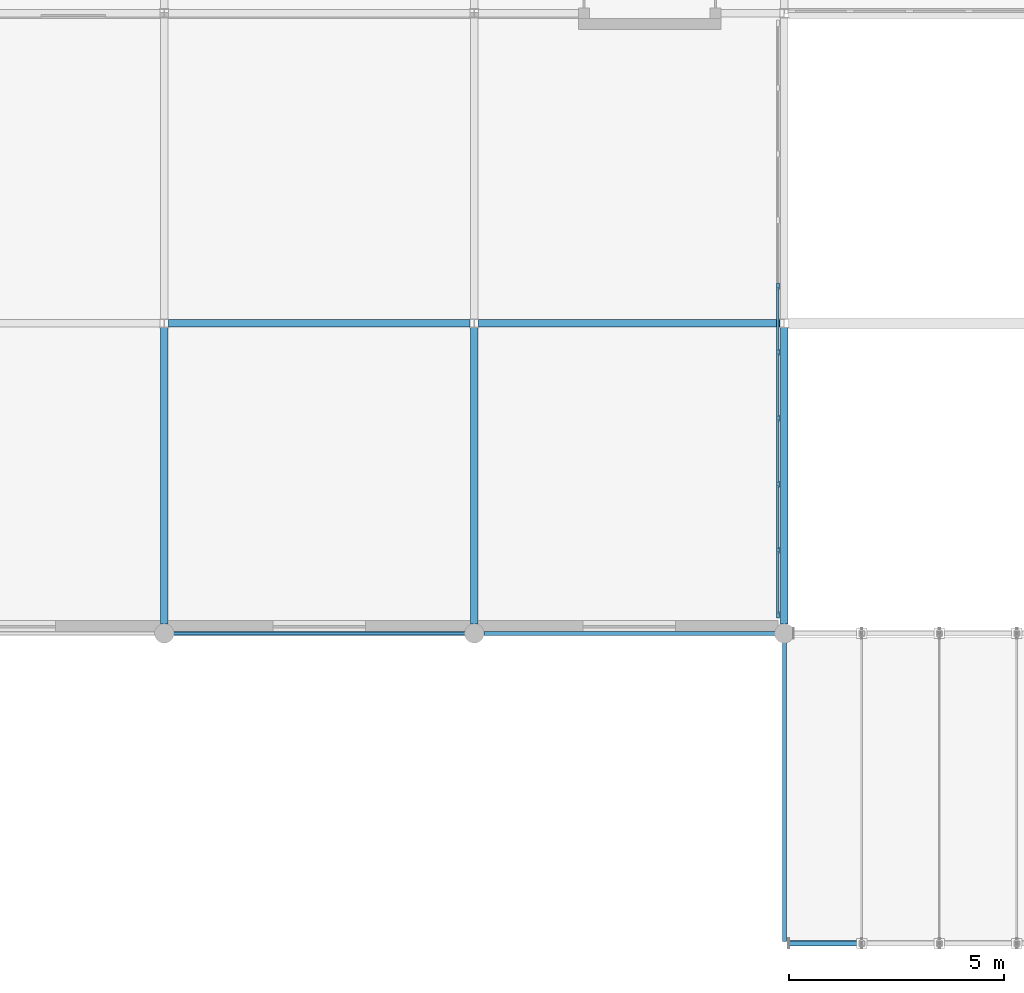
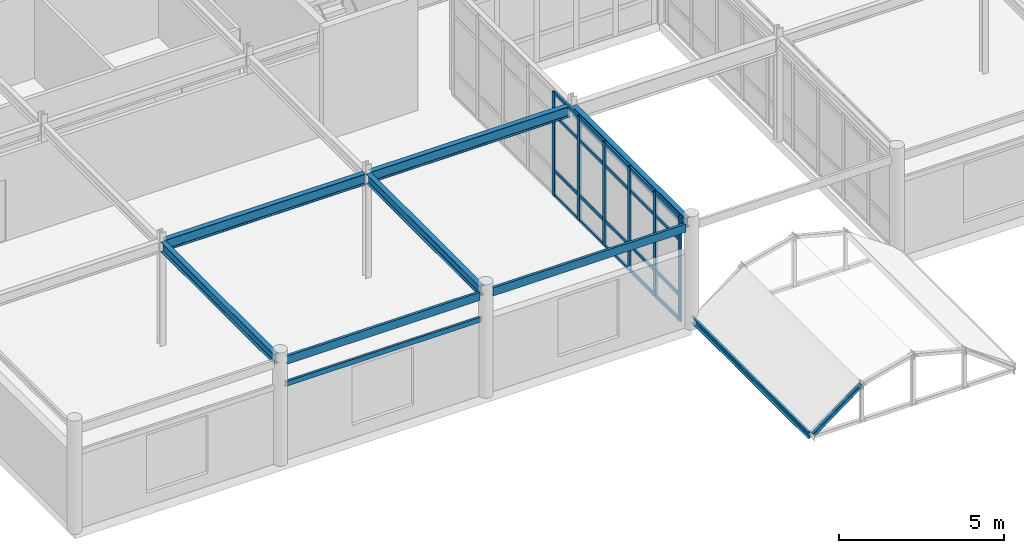
# One storey, part 20 of 85: 27 members, 9 beams, 1 element without a shape of its own.
"""IFC4 building model written with IfcOpenShell, lengths in metres."""

from ifc_helpers import new_model, si_unit, direction, frame, origin, origin_2d, place, context, subcontext, project, spatial, rectangle, hollow_rectangle, i_section, u_section, extrude, material, layer, layer_set, material_profile, profile_set, type_object, element, aggregate, save


model = new_model("IFC4")

# Units and contexts
model_context = context("Model", 3, precision=1e-05, world=origin(), true_north=direction((0.0, 1.0)))
body_context = subcontext(model_context, "Body", "Model", "MODEL_VIEW")
ifc_project = project(units=[si_unit("LENGTHUNIT", "METRE"), si_unit("AREAUNIT", "SQUARE_METRE"), si_unit("VOLUMEUNIT", "CUBIC_METRE"), si_unit("PLANEANGLEUNIT", "RADIAN"), si_unit("MASSUNIT", "GRAM", prefix="KILO")], contexts=[model_context])

# Site, building, storey
site_placement = place(None, origin())
site = spatial("IfcSite", under=ifc_project, at=site_placement, CompositionType="ELEMENT")
building_placement = place(site_placement, origin())
building = spatial("IfcBuilding", under=site, at=building_placement, Name="Ochrevale Crest", CompositionType="ELEMENT")
storey_placement = place(building_placement, frame((0.0, 0.0, 4.5)))
storey = spatial("IfcBuildingStorey", under=building, at=storey_placement, Name="L01", CompositionType="ELEMENT", Elevation=4.5)

# Beams
ifc_material_1 = material(Name="Steel S355", Category="steel")
ifc_material_profile_1 = material_profile(ifc_material_1, u_section(Depth=0.179931640625, FlangeWidth=0.074951171875, WebThickness=0.006103515625, FlangeThickness=0.010986328125, FilletRadius=0.011962890625, at=origin_2d()), Name="180PFC")
ifc_profile_set_1 = profile_set([ifc_material_profile_1], Name="Steel S355")
beam_type_1 = type_object("IfcBeamType", Name="BM-PFC180", PredefinedType="LINTEL", material=ifc_profile_set_1)
beam_1_placement = place(storey_placement, frame((64.949951171875, 7.199951171875, 2.85009765625), z_axis=(1.0, 0.0, 0.0), x_axis=(0.0, 1.0, 0.0)))
element("IfcBeam", 1, at=beam_1_placement, inside=storey, type_object=beam_type_1, Name="Retail shopfront steel lintel L01-2", PredefinedType="LINTEL", context=body_context, shape_type="SweptSolid", body=[
    extrude(u_section(Depth=0.179931640625, FlangeWidth=0.074951171875, WebThickness=0.006103515625, FlangeThickness=0.010986328125, FilletRadius=0.011962890625, at=origin_2d()), origin(), (0.0, 0.0, 1.0), 6.900146484375),
])
ifc_material_profile_2 = material_profile(ifc_material_1, u_section(Depth=0.25, FlangeWidth=0.090087890625, WebThickness=0.008056640625, FlangeThickness=0.014892578125, FilletRadius=0.011962890625, at=origin_2d()), Name="250PFC")
ifc_profile_set_2 = profile_set([ifc_material_profile_2], Name="Steel S355")
beam_type_2 = type_object("IfcBeamType", Name="BM-PFC250", PredefinedType="BEAM", material=ifc_profile_set_2)
beam_2_placement = place(storey_placement, frame((79.199951171875, 0.050048828125, 0.300048828125), z_axis=(0.0, 1.0, 0.0), x_axis=(-1.0, 0.0, 0.0)))
element("IfcBeam", 2, at=beam_2_placement, inside=storey, type_object=beam_type_2, Name="Entrance canopy edge channel beam", PredefinedType="BEAM", context=body_context, shape_type="SweptSolid", body=[
    extrude(u_section(Depth=0.25, FlangeWidth=0.090087890625, WebThickness=0.008056640625, FlangeThickness=0.014892578125, FilletRadius=0.011962890625, at=origin_2d()), origin(), (0.0, 0.0, 1.0), 7.070068359375),
])
ifc_material_profile_3 = material_profile(ifc_material_1, u_section(Depth=0.300048828125, FlangeWidth=0.090087890625, WebThickness=0.008056640625, FlangeThickness=0.01611328125, FilletRadius=0.013916015625, at=origin_2d()), Name="300PFC")
ifc_profile_set_3 = profile_set([ifc_material_profile_3], Name="Steel S355")
beam_type_3 = type_object("IfcBeamType", Name="BM-PFC300", PredefinedType="BEAM", material=ifc_profile_set_3)
for number, where, z_axis, x_axis, name in (
    (3, (65.02001953125, 7.199951171875, 3.72509765625), (1.0, 0.0, 0.0), (0.0, 1.0, 0.0), "Retail arcade L01 E-W beam Y=7.2"),
    (4, (72.219970703125, 7.199951171875, 3.72509765625), (1.0, 0.0, 0.0), (0.0, 1.0, 0.0), "Retail arcade L01 E-W beam Y=7.2"),
):
    element("IfcBeam", number, at=place(storey_placement, frame(where, z_axis=z_axis, x_axis=x_axis)), inside=storey, type_object=beam_type_3, Name=name, PredefinedType="BEAM", context=body_context, shape_type="SweptSolid", body=[
        extrude(u_section(Depth=0.300048828125, FlangeWidth=0.090087890625, WebThickness=0.008056640625, FlangeThickness=0.01611328125, FilletRadius=0.013916015625, at=origin_2d()), origin(), (0.0, 0.0, 1.0), 6.760009765625),
    ])
ifc_material_profile_4 = material_profile(ifc_material_1, i_section(OverallWidth=0.172119140625, OverallDepth=0.358642578125, WebThickness=0.008056640625, FlangeThickness=0.012939453125, FilletRadius=0.011474609375, at=origin_2d()), Name="360UB56.7")
ifc_profile_set_4 = profile_set([ifc_material_profile_4], Name="Steel S355")
beam_type_4 = type_object("IfcBeamType", Name="BM-UB360B", PredefinedType="BEAM", material=ifc_profile_set_4)
for number, where, z_axis, x_axis, name in (
    (5, (64.800048828125, 7.419921875, 3.69580078125), (0.0, 1.0, 0.0), (-1.0, 0.0, 0.0), "Retail arcade L01 N-S beam X=64.8"),
    (6, (72.0, 7.419921875, 3.69580078125), (0.0, 1.0, 0.0), (-1.0, 0.0, 0.0), "Retail arcade L01 N-S beam X=72.0"),
    (7, (79.199951171875, 7.419921875, 3.69580078125), (0.0, 1.0, 0.0), (-1.0, 0.0, 0.0), "Retail arcade L01 N-S beam X=79.2"),
):
    element("IfcBeam", number, at=place(storey_placement, frame(where, z_axis=z_axis, x_axis=x_axis)), inside=storey, type_object=beam_type_4, Name=name, PredefinedType="BEAM", context=body_context, shape_type="SweptSolid", body=[
        extrude(i_section(OverallWidth=0.172119140625, OverallDepth=0.358642578125, WebThickness=0.008056640625, FlangeThickness=0.012939453125, FilletRadius=0.011474609375, at=origin_2d()), origin(), (0.0, 0.0, 1.0), 6.882080078125),
    ])
ifc_material_profile_5 = material_profile(ifc_material_1, i_section(OverallWidth=0.177734375, OverallDepth=0.402587890625, WebThickness=0.007568359375, FlangeThickness=0.010986328125, FilletRadius=0.011474609375, at=origin_2d()), Name="410UB53.7")
ifc_profile_set_5 = profile_set([ifc_material_profile_5], Name="Steel S355")
beam_type_5 = type_object("IfcBeamType", Name="BM-UB410A", PredefinedType="BEAM", material=ifc_profile_set_5)
for number, where, z_axis, x_axis, name in (
    (8, (64.89794921875, 14.39990234375, 3.673583984375), (1.0, 0.0, 0.0), (0.0, 1.0, 0.0), "Retail arcade L01 E-W beam Y=14.4"),
    (9, (72.097900390625, 14.39990234375, 3.673583984375), (1.0, 0.0, 0.0), (0.0, 1.0, 0.0), "Retail arcade L01 E-W beam Y=14.4"),
):
    element("IfcBeam", number, at=place(storey_placement, frame(where, z_axis=z_axis, x_axis=x_axis)), inside=storey, type_object=beam_type_5, Name=name, PredefinedType="BEAM", context=body_context, shape_type="SweptSolid", body=[
        extrude(i_section(OverallWidth=0.177734375, OverallDepth=0.402587890625, WebThickness=0.007568359375, FlangeThickness=0.010986328125, FilletRadius=0.011474609375, at=origin_2d()), origin(), (0.0, 0.0, 1.0), 7.004150390625),
    ])

# Curtain wall, members
ifc_material_2 = material(Name="Anodised aluminium 6063-T5", Category="aluminium")
ifc_layer = layer(ifc_material_2, 0.14990234375)
ifc_layer_set = layer_set([ifc_layer], Name="Anodised aluminium 6063-T5")
curtain_wall_type = type_object("IfcCurtainWallType", Name="CW-LNG-480x385", PredefinedType="NOTDEFINED", material=ifc_layer_set)
curtain_wall_placement = place(storey_placement, origin())
curtain_wall = element("IfcCurtainWall", 10, at=curtain_wall_placement, inside=storey, type_object=curtain_wall_type, Name="Upper Arcade W passage overlook curtain wall", PredefinedType="NOTDEFINED")
ifc_material_profile_6 = material_profile(ifc_material_2, rectangle(XDim=0.06494140625, YDim=0.14990234375, at=origin_2d()), Name="ALU 65x150")
ifc_profile_set_6 = profile_set([ifc_material_profile_6], Name="Anodised aluminium 6063-T5")
member_type_1 = type_object("IfcMemberType", Name="CW-MUL-65x150", PredefinedType="MULLION", material=ifc_profile_set_6)
member_1_placement = place(storey_placement, frame((79.050048828125, 7.632568359375, 0.0), z_axis=(0.0, 0.0, 1.0), x_axis=(-1.0, 0.0, 0.0)))
member_1 = element("IfcMember", 11, at=member_1_placement, type_object=member_type_1, Name="CW11 mullion 1", PredefinedType="MULLION", context=body_context, shape_type="SweptSolid", body=[
    extrude(rectangle(XDim=0.06494140625, YDim=0.14990234375, at=origin_2d()), origin(), (0.0, 0.0, 1.0), 3.85009765625),
])
member_2_placement = place(storey_placement, frame((79.050048828125, 9.13330078125, 0.0), z_axis=(0.0, 0.0, 1.0), x_axis=(-1.0, 0.0, 0.0)))
member_2 = element("IfcMember", 12, at=member_2_placement, type_object=member_type_1, Name="CW11 mullion 2", PredefinedType="MULLION", context=body_context, shape_type="SweptSolid", body=[
    extrude(rectangle(XDim=0.06494140625, YDim=0.14990234375, at=origin_2d()), origin(), (0.0, 0.0, 1.0), 3.85009765625),
])
member_3_placement = place(storey_placement, frame((79.050048828125, 10.666748046875, 0.0), z_axis=(0.0, 0.0, 1.0), x_axis=(-1.0, 0.0, 0.0)))
member_3 = element("IfcMember", 13, at=member_3_placement, type_object=member_type_1, Name="CW11 mullion 3", PredefinedType="MULLION", context=body_context, shape_type="SweptSolid", body=[
    extrude(rectangle(XDim=0.06494140625, YDim=0.14990234375, at=origin_2d()), origin(), (0.0, 0.0, 1.0), 3.85009765625),
])
member_4_placement = place(storey_placement, frame((79.050048828125, 12.199951171875, 0.0), z_axis=(0.0, 0.0, 1.0), x_axis=(-1.0, 0.0, 0.0)))
member_4 = element("IfcMember", 14, at=member_4_placement, type_object=member_type_1, Name="CW11 mullion 4", PredefinedType="MULLION", context=body_context, shape_type="SweptSolid", body=[
    extrude(rectangle(XDim=0.06494140625, YDim=0.14990234375, at=origin_2d()), origin(), (0.0, 0.0, 1.0), 3.85009765625),
])
member_5_placement = place(storey_placement, frame((79.050048828125, 13.7333984375, 0.0), z_axis=(0.0, 0.0, 1.0), x_axis=(-1.0, 0.0, 0.0)))
member_5 = element("IfcMember", 15, at=member_5_placement, type_object=member_type_1, Name="CW11 mullion 5", PredefinedType="MULLION", context=body_context, shape_type="SweptSolid", body=[
    extrude(rectangle(XDim=0.06494140625, YDim=0.14990234375, at=origin_2d()), origin(), (0.0, 0.0, 1.0), 3.85009765625),
])
member_6_placement = place(storey_placement, frame((79.050048828125, 15.2666015625, 0.0), z_axis=(0.0, 0.0, 1.0), x_axis=(-1.0, 0.0, 0.0)))
member_6 = element("IfcMember", 16, at=member_6_placement, type_object=member_type_1, Name="CW11 mullion 6", PredefinedType="MULLION", context=body_context, shape_type="SweptSolid", body=[
    extrude(rectangle(XDim=0.06494140625, YDim=0.14990234375, at=origin_2d()), origin(), (0.0, 0.0, 1.0), 3.85009765625),
])
ifc_material_profile_7 = material_profile(ifc_material_2, rectangle(XDim=0.06005859375, YDim=0.1201171875, at=origin_2d()), Name="ALU 60x120")
ifc_profile_set_7 = profile_set([ifc_material_profile_7], Name="Anodised aluminium 6063-T5")
member_type_2 = type_object("IfcMemberType", Name="CW-TRN-60x120", PredefinedType="USERDEFINED", material=ifc_profile_set_7)
member_7_placement = place(storey_placement, frame((79.050048828125, 7.6650390625, 0.030029296875), z_axis=(0.0, 1.0, 0.0), x_axis=(-1.0, 0.0, 0.0)))
member_7 = element("IfcMember", 17, at=member_7_placement, type_object=member_type_2, Name="CW11 transom 1.1", ObjectType="TRANSOM", PredefinedType="USERDEFINED", context=body_context, shape_type="SweptSolid", body=[
    extrude(rectangle(XDim=0.06005859375, YDim=0.1201171875, at=origin_2d()), origin(), (0.0, 0.0, 1.0), 1.435791015625),
])
member_8_placement = place(storey_placement, frame((79.050048828125, 7.6650390625, 0.949951171875), z_axis=(0.0, 1.0, 0.0), x_axis=(-1.0, 0.0, 0.0)))
member_8 = element("IfcMember", 18, at=member_8_placement, type_object=member_type_2, Name="CW11 transom 1.2", ObjectType="TRANSOM", PredefinedType="USERDEFINED", context=body_context, shape_type="SweptSolid", body=[
    extrude(rectangle(XDim=0.06005859375, YDim=0.1201171875, at=origin_2d()), origin(), (0.0, 0.0, 1.0), 1.435791015625),
])
member_9_placement = place(storey_placement, frame((79.050048828125, 7.6650390625, 3.0), z_axis=(0.0, 1.0, 0.0), x_axis=(-1.0, 0.0, 0.0)))
member_9 = element("IfcMember", 19, at=member_9_placement, type_object=member_type_2, Name="CW11 transom 1.3", ObjectType="TRANSOM", PredefinedType="USERDEFINED", context=body_context, shape_type="SweptSolid", body=[
    extrude(rectangle(XDim=0.06005859375, YDim=0.1201171875, at=origin_2d()), origin(), (0.0, 0.0, 1.0), 1.435791015625),
])
member_10_placement = place(storey_placement, frame((79.050048828125, 7.6650390625, 3.820068359375), z_axis=(0.0, 1.0, 0.0), x_axis=(-1.0, 0.0, 0.0)))
member_10 = element("IfcMember", 20, at=member_10_placement, type_object=member_type_2, Name="CW11 transom 1.4", ObjectType="TRANSOM", PredefinedType="USERDEFINED", context=body_context, shape_type="SweptSolid", body=[
    extrude(rectangle(XDim=0.06005859375, YDim=0.1201171875, at=origin_2d()), origin(), (0.0, 0.0, 1.0), 1.435791015625),
])
member_11_placement = place(storey_placement, frame((79.050048828125, 9.165771484375, 0.030029296875), z_axis=(0.0, 1.0, 0.0), x_axis=(-1.0, 0.0, 0.0)))
member_11 = element("IfcMember", 21, at=member_11_placement, type_object=member_type_2, Name="CW11 transom 2.1", ObjectType="TRANSOM", PredefinedType="USERDEFINED", context=body_context, shape_type="SweptSolid", body=[
    extrude(rectangle(XDim=0.06005859375, YDim=0.1201171875, at=origin_2d()), origin(), (0.0, 0.0, 1.0), 1.468505859375),
])
member_12_placement = place(storey_placement, frame((79.050048828125, 9.165771484375, 0.949951171875), z_axis=(0.0, 1.0, 0.0), x_axis=(-1.0, 0.0, 0.0)))
member_12 = element("IfcMember", 22, at=member_12_placement, type_object=member_type_2, Name="CW11 transom 2.2", ObjectType="TRANSOM", PredefinedType="USERDEFINED", context=body_context, shape_type="SweptSolid", body=[
    extrude(rectangle(XDim=0.06005859375, YDim=0.1201171875, at=origin_2d()), origin(), (0.0, 0.0, 1.0), 1.468505859375),
])
member_13_placement = place(storey_placement, frame((79.050048828125, 9.165771484375, 3.0), z_axis=(0.0, 1.0, 0.0), x_axis=(-1.0, 0.0, 0.0)))
member_13 = element("IfcMember", 23, at=member_13_placement, type_object=member_type_2, Name="CW11 transom 2.3", ObjectType="TRANSOM", PredefinedType="USERDEFINED", context=body_context, shape_type="SweptSolid", body=[
    extrude(rectangle(XDim=0.06005859375, YDim=0.1201171875, at=origin_2d()), origin(), (0.0, 0.0, 1.0), 1.468505859375),
])
member_14_placement = place(storey_placement, frame((79.050048828125, 9.165771484375, 3.820068359375), z_axis=(0.0, 1.0, 0.0), x_axis=(-1.0, 0.0, 0.0)))
member_14 = element("IfcMember", 24, at=member_14_placement, type_object=member_type_2, Name="CW11 transom 2.4", ObjectType="TRANSOM", PredefinedType="USERDEFINED", context=body_context, shape_type="SweptSolid", body=[
    extrude(rectangle(XDim=0.06005859375, YDim=0.1201171875, at=origin_2d()), origin(), (0.0, 0.0, 1.0), 1.468505859375),
])
member_15_placement = place(storey_placement, frame((79.050048828125, 10.69921875, 0.030029296875), z_axis=(0.0, 1.0, 0.0), x_axis=(-1.0, 0.0, 0.0)))
member_15 = element("IfcMember", 25, at=member_15_placement, type_object=member_type_2, Name="CW11 transom 3.1", ObjectType="TRANSOM", PredefinedType="USERDEFINED", context=body_context, shape_type="SweptSolid", body=[
    extrude(rectangle(XDim=0.06005859375, YDim=0.1201171875, at=origin_2d()), origin(), (0.0, 0.0, 1.0), 1.46826171875),
])
member_16_placement = place(storey_placement, frame((79.050048828125, 10.69921875, 0.949951171875), z_axis=(0.0, 1.0, 0.0), x_axis=(-1.0, 0.0, 0.0)))
member_16 = element("IfcMember", 26, at=member_16_placement, type_object=member_type_2, Name="CW11 transom 3.2", ObjectType="TRANSOM", PredefinedType="USERDEFINED", context=body_context, shape_type="SweptSolid", body=[
    extrude(rectangle(XDim=0.06005859375, YDim=0.1201171875, at=origin_2d()), origin(), (0.0, 0.0, 1.0), 1.46826171875),
])
member_17_placement = place(storey_placement, frame((79.050048828125, 10.69921875, 3.0), z_axis=(0.0, 1.0, 0.0), x_axis=(-1.0, 0.0, 0.0)))
member_17 = element("IfcMember", 27, at=member_17_placement, type_object=member_type_2, Name="CW11 transom 3.3", ObjectType="TRANSOM", PredefinedType="USERDEFINED", context=body_context, shape_type="SweptSolid", body=[
    extrude(rectangle(XDim=0.06005859375, YDim=0.1201171875, at=origin_2d()), origin(), (0.0, 0.0, 1.0), 1.46826171875),
])
member_18_placement = place(storey_placement, frame((79.050048828125, 10.69921875, 3.820068359375), z_axis=(0.0, 1.0, 0.0), x_axis=(-1.0, 0.0, 0.0)))
member_18 = element("IfcMember", 28, at=member_18_placement, type_object=member_type_2, Name="CW11 transom 3.4", ObjectType="TRANSOM", PredefinedType="USERDEFINED", context=body_context, shape_type="SweptSolid", body=[
    extrude(rectangle(XDim=0.06005859375, YDim=0.1201171875, at=origin_2d()), origin(), (0.0, 0.0, 1.0), 1.46826171875),
])
member_19_placement = place(storey_placement, frame((79.050048828125, 12.232421875, 0.030029296875), z_axis=(0.0, 1.0, 0.0), x_axis=(-1.0, 0.0, 0.0)))
member_19 = element("IfcMember", 29, at=member_19_placement, type_object=member_type_2, Name="CW11 transom 4.1", ObjectType="TRANSOM", PredefinedType="USERDEFINED", context=body_context, shape_type="SweptSolid", body=[
    extrude(rectangle(XDim=0.06005859375, YDim=0.1201171875, at=origin_2d()), origin(), (0.0, 0.0, 1.0), 1.468505859375),
])
member_20_placement = place(storey_placement, frame((79.050048828125, 12.232421875, 0.949951171875), z_axis=(0.0, 1.0, 0.0), x_axis=(-1.0, 0.0, 0.0)))
member_20 = element("IfcMember", 30, at=member_20_placement, type_object=member_type_2, Name="CW11 transom 4.2", ObjectType="TRANSOM", PredefinedType="USERDEFINED", context=body_context, shape_type="SweptSolid", body=[
    extrude(rectangle(XDim=0.06005859375, YDim=0.1201171875, at=origin_2d()), origin(), (0.0, 0.0, 1.0), 1.468505859375),
])
member_21_placement = place(storey_placement, frame((79.050048828125, 12.232421875, 3.0), z_axis=(0.0, 1.0, 0.0), x_axis=(-1.0, 0.0, 0.0)))
member_21 = element("IfcMember", 31, at=member_21_placement, type_object=member_type_2, Name="CW11 transom 4.3", ObjectType="TRANSOM", PredefinedType="USERDEFINED", context=body_context, shape_type="SweptSolid", body=[
    extrude(rectangle(XDim=0.06005859375, YDim=0.1201171875, at=origin_2d()), origin(), (0.0, 0.0, 1.0), 1.468505859375),
])
member_22_placement = place(storey_placement, frame((79.050048828125, 12.232421875, 3.820068359375), z_axis=(0.0, 1.0, 0.0), x_axis=(-1.0, 0.0, 0.0)))
member_22 = element("IfcMember", 32, at=member_22_placement, type_object=member_type_2, Name="CW11 transom 4.4", ObjectType="TRANSOM", PredefinedType="USERDEFINED", context=body_context, shape_type="SweptSolid", body=[
    extrude(rectangle(XDim=0.06005859375, YDim=0.1201171875, at=origin_2d()), origin(), (0.0, 0.0, 1.0), 1.468505859375),
])
member_23_placement = place(storey_placement, frame((79.050048828125, 13.765869140625, 0.030029296875), z_axis=(0.0, 1.0, 0.0), x_axis=(-1.0, 0.0, 0.0)))
member_23 = element("IfcMember", 33, at=member_23_placement, type_object=member_type_2, Name="CW11 transom 5.1", ObjectType="TRANSOM", PredefinedType="USERDEFINED", context=body_context, shape_type="SweptSolid", body=[
    extrude(rectangle(XDim=0.06005859375, YDim=0.1201171875, at=origin_2d()), origin(), (0.0, 0.0, 1.0), 1.46826171875),
])
member_24_placement = place(storey_placement, frame((79.050048828125, 13.765869140625, 0.949951171875), z_axis=(0.0, 1.0, 0.0), x_axis=(-1.0, 0.0, 0.0)))
member_24 = element("IfcMember", 34, at=member_24_placement, type_object=member_type_2, Name="CW11 transom 5.2", ObjectType="TRANSOM", PredefinedType="USERDEFINED", context=body_context, shape_type="SweptSolid", body=[
    extrude(rectangle(XDim=0.06005859375, YDim=0.1201171875, at=origin_2d()), origin(), (0.0, 0.0, 1.0), 1.46826171875),
])
member_25_placement = place(storey_placement, frame((79.050048828125, 13.765869140625, 3.0), z_axis=(0.0, 1.0, 0.0), x_axis=(-1.0, 0.0, 0.0)))
member_25 = element("IfcMember", 35, at=member_25_placement, type_object=member_type_2, Name="CW11 transom 5.3", ObjectType="TRANSOM", PredefinedType="USERDEFINED", context=body_context, shape_type="SweptSolid", body=[
    extrude(rectangle(XDim=0.06005859375, YDim=0.1201171875, at=origin_2d()), origin(), (0.0, 0.0, 1.0), 1.46826171875),
])
member_26_placement = place(storey_placement, frame((79.050048828125, 13.765869140625, 3.820068359375), z_axis=(0.0, 1.0, 0.0), x_axis=(-1.0, 0.0, 0.0)))
member_26 = element("IfcMember", 36, at=member_26_placement, type_object=member_type_2, Name="CW11 transom 5.4", ObjectType="TRANSOM", PredefinedType="USERDEFINED", context=body_context, shape_type="SweptSolid", body=[
    extrude(rectangle(XDim=0.06005859375, YDim=0.1201171875, at=origin_2d()), origin(), (0.0, 0.0, 1.0), 1.46826171875),
])
aggregate(curtain_wall, [member_1, member_2, member_3, member_4, member_5, member_6, member_7, member_8, member_9, member_10, member_11, member_12, member_13, member_14, member_15, member_16, member_17, member_18, member_19, member_20, member_21, member_22, member_23, member_24, member_25, member_26])

# Member
ifc_material_profile_8 = material_profile(ifc_material_1, hollow_rectangle(XDim=0.125, YDim=0.125, WallThickness=0.006103515625, InnerFilletRadius=0.006103515625, OuterFilletRadius=0.011962890625, at=origin_2d()), Name="125x125x6.0SHS")
ifc_profile_set_8 = profile_set([ifc_material_profile_8], Name="Steel S355")
member_type_3 = type_object("IfcMemberType", Name="MEM-SHS125-CH", PredefinedType="CHORD", material=ifc_profile_set_8)
member_27_placement = place(storey_placement, frame((79.31005859375, 0.0, 0.320068359375), z_axis=(0.801692381486, 0.0, 0.597736836297), x_axis=(0.0, 1.0, 0.0)))
element("IfcMember", 37, at=member_27_placement, inside=storey, type_object=member_type_3, Name="Parabolic entrance canopy arch chord", PredefinedType="CHORD", context=body_context, shape_type="SweptSolid", body=[
    extrude(hollow_rectangle(XDim=0.125, YDim=0.125, WallThickness=0.006103515625, InnerFilletRadius=0.006103515625, OuterFilletRadius=0.011962890625, at=origin_2d()), origin(), (0.0, 0.0, 1.0), 2.10791015625),
])

save(model, "model.ifc")
